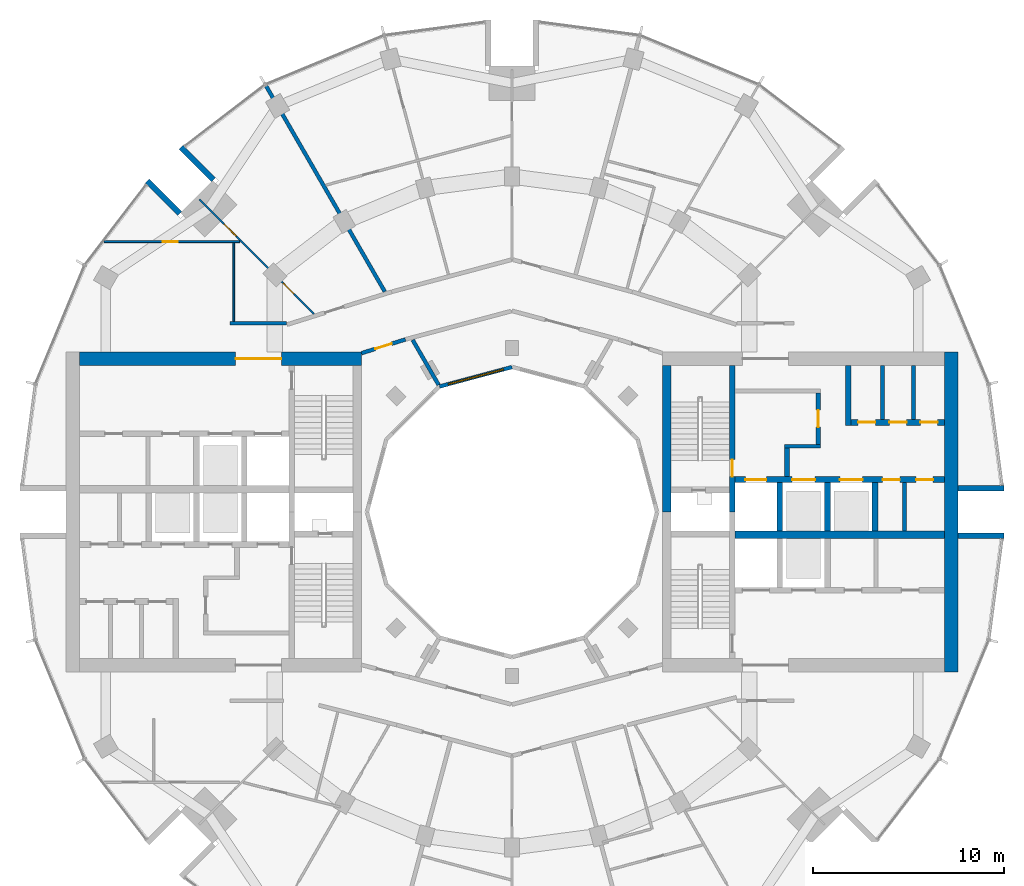
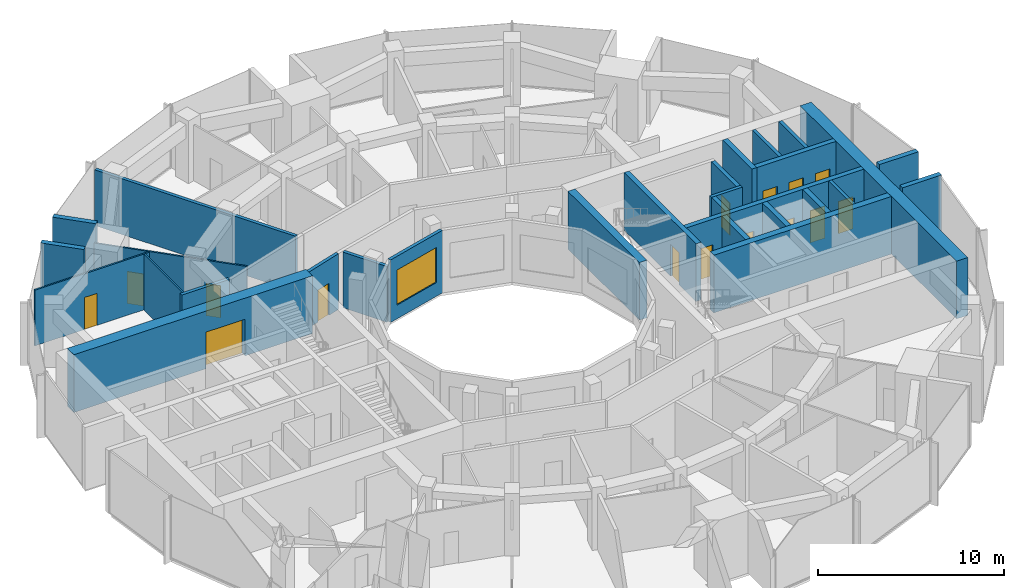
# One storey, part 11 of 15: 29 walls, 15 doors, 1 window, 16 openings.
"""IFC4 building model written with IfcOpenShell, lengths in metres."""

from ifc_helpers import new_model, si_unit, direction, frame, frame_2d, origin, place, context, subcontext, project, spatial, rectangle, extrude, material, layer, layer_set, type_object, element, fill, save


model = new_model("IFC4")

# Units and contexts
model_context = context("Model", 3, precision=1e-05, world=origin(), true_north=direction((0.0, 1.0)))
body_context = subcontext(model_context, "Body", "Model", "MODEL_VIEW")
ifc_project = project(units=[si_unit("LENGTHUNIT", "METRE"), si_unit("AREAUNIT", "SQUARE_METRE"), si_unit("VOLUMEUNIT", "CUBIC_METRE"), si_unit("PLANEANGLEUNIT", "RADIAN"), si_unit("MASSUNIT", "GRAM", prefix="KILO")], contexts=[model_context])

# Site, building, storey
site_placement = place(None, origin())
site = spatial("IfcSite", under=ifc_project, at=site_placement, CompositionType="ELEMENT")
building_placement = place(site_placement, origin())
building = spatial("IfcBuilding", under=site, at=building_placement, Name="Torre Brocal", CompositionType="ELEMENT")
storey_placement = place(building_placement, frame((0.0, 0.0, 174.10009765625)))
storey = spatial("IfcBuildingStorey", under=building, at=storey_placement, Name="L40", CompositionType="ELEMENT", Elevation=174.10009765625)

# Walls
ifc_material_1 = material(Name="Masonry block", Category="masonry")
ifc_layer_1 = layer(ifc_material_1, 0.199951171875)
ifc_layer_set_1 = layer_set([ifc_layer_1], Name="Masonry block")
wall_type_1 = type_object("IfcWallType", Name="CORE PARTITION 200", PredefinedType="PARTITIONING", material=ifc_layer_set_1)
wall_1_placement = place(storey_placement, frame((100.60009765625, 74.0, 0.0), z_axis=(0.0, 0.0, 1.0), x_axis=(0.0, 1.0, 0.0)))
element("IfcWall", 1, at=wall_1_placement, inside=storey, type_object=wall_type_1, Name="Wall CP200", PredefinedType="PARTITIONING", context=body_context, shape_type="SweptSolid", body=[
    extrude(rectangle(XDim=2.550048828125, YDim=0.199951171875, at=frame_2d((1.27490234375, 0.0))), origin(), (0.0, 0.0, 1.0), 3.77978515625),
])
for number, where, z_axis, x_axis, name in (
    (2, (99.433349609375, 79.85009765625, 0.0), (0.0, 0.0, 1.0), (0.0, 1.0, 0.0), "Wall CP200"),
    (3, (101.066650390625, 79.85009765625, 0.0), (0.0, 0.0, 1.0), (0.0, 1.0, 0.0), "Wall CP200"),
):
    element("IfcWall", number, at=place(storey_placement, frame(where, z_axis=z_axis, x_axis=x_axis)), inside=storey, type_object=wall_type_1, Name=name, PredefinedType="PARTITIONING", context=body_context, shape_type="SweptSolid", body=[
        extrude(rectangle(XDim=2.849853515625, YDim=0.199951171875, at=frame_2d((1.4248046875, 0.0))), origin(), (0.0, 0.0, 1.0), 3.77978515625),
    ])
ifc_material_2 = material(Name="Concrete C70", Category="concrete")
ifc_layer_2 = layer(ifc_material_2, 0.199951171875)
ifc_layer_set_2 = layer_set([ifc_layer_2], Name="Concrete C70")
wall_type_2 = type_object("IfcWallType", Name="CORE WALL 200 C70", PredefinedType="SHEAR", material=ifc_layer_set_2)
wall_2_placement = place(storey_placement, frame((94.300048828125, 78.449951171875, 0.0), z_axis=(0.0, 0.0, 1.0), x_axis=(1.0, 0.0, 0.0)))
element("IfcWall", 4, at=wall_2_placement, inside=storey, type_object=wall_type_2, Name="Wall CW200-70", PredefinedType="SHEAR", context=body_context, shape_type="SweptSolid", body=[
    extrude(rectangle(XDim=1.89990234375, YDim=0.199951171875, at=frame_2d((0.949951171875, 0.0))), origin(), (0.0, 0.0, 1.0), 3.77978515625),
])

# Wall, opening, door
ifc_material_3 = material(Name="Concrete C70", Category="concrete")
ifc_layer_3 = layer(ifc_material_3, 0.25)
ifc_layer_set_3 = layer_set([ifc_layer_3], Name="Concrete C70")
wall_type_3 = type_object("IfcWallType", Name="CORE WALL 250 C70", PredefinedType="SHEAR", material=ifc_layer_set_3)
wall_3_placement = place(storey_placement, frame((96.074951171875, 78.550048828125, 0.0), z_axis=(0.0, 0.0, 1.0), x_axis=(0.0, 1.0, 0.0)))
wall_3 = element("IfcWall", 5, at=wall_3_placement, inside=storey, type_object=wall_type_3, Name="Wall CW250-70", PredefinedType="SHEAR", context=body_context, shape_type="SweptSolid", body=[
    extrude(rectangle(XDim=2.699951171875, YDim=0.25, at=frame_2d((1.35009765625, 0.0))), origin(), (0.0, 0.0, 1.0), 3.77978515625),
])
opening_1_placement = place(wall_3_placement, frame((0.89990234375, 0.0, 0.0)))
opening_1 = element("IfcOpeningElement", 6, at=opening_1_placement, cuts=wall_3, Name="Opening E-D08", PredefinedType="OPENING", context=body_context, shape_type="SweptSolid", body=[
    extrude(rectangle(XDim=0.89990234375, YDim=2.10009765625, at=frame_2d((0.449951171875, 1.050048828125))), frame((0.0, 0.135009765625, 0.0), z_axis=(0.0, -1.0, 0.0), x_axis=(1.0, 0.0, 0.0)), (0.0, 0.0, 1.0), 0.27001953125),
])
ifc_material_4 = material(Name="Steel A653", Category="steel")
door_type_1 = type_object("IfcDoorType", Name="LOBBY DOOR FD120 900X2100", OperationType="SINGLE_SWING_RIGHT", PredefinedType="DOOR", material=ifc_material_4)
door_1_placement = place(opening_1_placement, origin())
door_1 = element("IfcDoor", 7, at=door_1_placement, inside=storey, type_object=door_type_1, Name="Door E-D08", OperationType="SINGLE_SWING_LEFT", OverallHeight=2.10009765625, OverallWidth=0.89990234375, PredefinedType="DOOR", context=body_context, shape_type="SweptSolid", body=[
    extrude(rectangle(XDim=0.89990234375, YDim=2.10009765625, at=frame_2d((0.449951171875, 1.050048828125))), frame((0.0, 0.02490234375, 0.0), z_axis=(0.0, -1.0, 0.0), x_axis=(1.0, 0.0, 0.0)), (0.0, 0.0, 1.0), 0.050048828125),
])
fill(opening_1, door_1)

# Wall
wall_4_placement = place(storey_placement, frame((94.425048828125, 76.85009765625, 0.0), z_axis=(0.0, 0.0, 1.0), x_axis=(0.0, 1.0, 0.0)))
element("IfcWall", 8, at=wall_4_placement, inside=storey, type_object=wall_type_3, Name="Wall CW250-70", PredefinedType="SHEAR", context=body_context, shape_type="SweptSolid", body=[
    extrude(rectangle(XDim=1.5, YDim=0.25, at=frame_2d((0.75, 0.0))), origin(), (0.0, 0.0, 1.0), 3.77978515625),
])

# Wall, opening, door
ifc_material_5 = material(Name="Concrete C70", Category="concrete")
ifc_layer_4 = layer(ifc_material_5, 0.300048828125)
ifc_layer_set_4 = layer_set([ifc_layer_4], Name="Concrete C70")
wall_type_4 = type_object("IfcWallType", Name="CORE WALL 300 C70", PredefinedType="SHEAR", material=ifc_layer_set_4)
wall_5_placement = place(storey_placement, frame((91.550048828125, 75.0, 0.0), z_axis=(0.0, 0.0, 1.0), x_axis=(0.0, 1.0, 0.0)))
wall_5 = element("IfcWall", 9, at=wall_5_placement, inside=storey, type_object=wall_type_4, Name="Wall CW300-70", PredefinedType="SHEAR", context=body_context, shape_type="SweptSolid", body=[
    extrude(rectangle(XDim=7.699951171875, YDim=0.300048828125, at=frame_2d((3.85009765625, 0.0))), origin(), (0.0, 0.0, 1.0), 3.77978515625),
])
opening_2_placement = place(wall_5_placement, frame((1.85009765625, 0.0, 0.0)))
opening_2 = element("IfcOpeningElement", 10, at=opening_2_placement, cuts=wall_5, Name="Opening E-D02", PredefinedType="OPENING", context=body_context, shape_type="SweptSolid", body=[
    extrude(rectangle(XDim=0.89990234375, YDim=2.10009765625, at=frame_2d((0.449951171875, 1.050048828125))), frame((0.0, 0.159912109375, 0.0), z_axis=(0.0, -1.0, 0.0), x_axis=(1.0, 0.0, 0.0)), (0.0, 0.0, 1.0), 0.320068359375),
])
ifc_material_6 = material(Name="Steel A653", Category="steel")
door_type_2 = type_object("IfcDoorType", Name="STAIR DOOR FD120 900X2100", OperationType="SINGLE_SWING_RIGHT", PredefinedType="DOOR", material=ifc_material_6)
door_2_placement = place(opening_2_placement, origin())
door_2 = element("IfcDoor", 11, at=door_2_placement, inside=storey, type_object=door_type_2, Name="Door E-D02", OperationType="SINGLE_SWING_LEFT", OverallHeight=2.10009765625, OverallWidth=0.89990234375, PredefinedType="DOOR", context=body_context, shape_type="SweptSolid", body=[
    extrude(rectangle(XDim=0.89990234375, YDim=2.10009765625, at=frame_2d((0.449951171875, 1.050048828125))), frame((0.0, 0.02490234375, 0.0), z_axis=(0.0, -1.0, 0.0), x_axis=(1.0, 0.0, 0.0)), (0.0, 0.0, 1.0), 0.050048828125),
])
fill(opening_2, door_2)

# Wall, openings, doors
wall_6_placement = place(storey_placement, frame((91.699951171875, 76.699951171875, 0.0), z_axis=(0.0, 0.0, 1.0), x_axis=(1.0, 0.0, 0.0)))
wall_6 = element("IfcWall", 12, at=wall_6_placement, inside=storey, type_object=wall_type_4, Name="Wall CW300-70", PredefinedType="SHEAR", context=body_context, shape_type="SweptSolid", body=[
    extrude(rectangle(XDim=11.0, YDim=0.300048828125, at=frame_2d((5.5, 0.0))), origin(), (0.0, 0.0, 1.0), 3.77978515625),
])
opening_3_placement = place(wall_6_placement, frame((0.550048828125, 0.0, 0.0)))
opening_3 = element("IfcOpeningElement", 13, at=opening_3_placement, cuts=wall_6, Name="Opening LD", PredefinedType="OPENING", context=body_context, shape_type="SweptSolid", body=[
    extrude(rectangle(XDim=1.10009765625, YDim=2.10009765625, at=frame_2d((0.550048828125, 1.050048828125))), frame((0.0, 0.159912109375, 0.0), z_axis=(0.0, -1.0, 0.0), x_axis=(1.0, 0.0, 0.0)), (0.0, 0.0, 1.0), 0.320068359375),
])
opening_4_placement = place(wall_6_placement, frame((3.0, 0.0, 0.0)))
opening_4 = element("IfcOpeningElement", 14, at=opening_4_placement, cuts=wall_6, Name="Opening LD12", PredefinedType="OPENING", context=body_context, shape_type="SweptSolid", body=[
    extrude(rectangle(XDim=1.199951171875, YDim=2.10009765625, at=frame_2d((0.60009765625, 1.050048828125))), frame((0.0, 0.159912109375, 0.0), z_axis=(0.0, -1.0, 0.0), x_axis=(1.0, 0.0, 0.0)), (0.0, 0.0, 1.0), 0.320068359375),
])
opening_5_placement = place(wall_6_placement, frame((5.5, 0.0, 0.0)))
opening_5 = element("IfcOpeningElement", 15, at=opening_5_placement, cuts=wall_6, Name="Opening LD12", PredefinedType="OPENING", context=body_context, shape_type="SweptSolid", body=[
    extrude(rectangle(XDim=1.199951171875, YDim=2.10009765625, at=frame_2d((0.60009765625, 1.050048828125))), frame((0.0, 0.159912109375, 0.0), z_axis=(0.0, -1.0, 0.0), x_axis=(1.0, 0.0, 0.0)), (0.0, 0.0, 1.0), 0.320068359375),
])
opening_6_placement = place(wall_6_placement, frame((7.75, 0.0, 0.0)))
opening_6 = element("IfcOpeningElement", 16, at=opening_6_placement, cuts=wall_6, Name="Opening E-D04", PredefinedType="OPENING", context=body_context, shape_type="SweptSolid", body=[
    extrude(rectangle(XDim=0.89990234375, YDim=2.10009765625, at=frame_2d((0.449951171875, 1.050048828125))), frame((0.0, 0.159912109375, 0.0), z_axis=(0.0, -1.0, 0.0), x_axis=(1.0, 0.0, 0.0)), (0.0, 0.0, 1.0), 0.320068359375),
])
opening_7_placement = place(wall_6_placement, frame((9.5, 0.0, 0.0)))
opening_7 = element("IfcOpeningElement", 17, at=opening_7_placement, cuts=wall_6, Name="Opening E-D05", PredefinedType="OPENING", context=body_context, shape_type="SweptSolid", body=[
    extrude(rectangle(XDim=0.89990234375, YDim=2.10009765625, at=frame_2d((0.449951171875, 1.050048828125))), frame((0.0, 0.159912109375, 0.0), z_axis=(0.0, -1.0, 0.0), x_axis=(1.0, 0.0, 0.0)), (0.0, 0.0, 1.0), 0.320068359375),
])
ifc_material_7 = material(Name="Stainless steel AISI 316", Category="steel")
door_type_3 = type_object("IfcDoorType", Name="LIFT LANDING DOOR 1100X2100", OperationType="DOUBLE_DOOR_SLIDING", PredefinedType="DOOR", material=ifc_material_7)
door_3_placement = place(opening_3_placement, origin())
door_3 = element("IfcDoor", 18, at=door_3_placement, inside=storey, type_object=door_type_3, Name="Door LD", OperationType="DOUBLE_DOOR_SLIDING", OverallHeight=2.10009765625, OverallWidth=1.10009765625, PredefinedType="DOOR", context=body_context, shape_type="SweptSolid", body=[
    extrude(rectangle(XDim=1.10009765625, YDim=2.10009765625, at=frame_2d((0.550048828125, 1.050048828125))), frame((0.0, 0.02490234375, 0.0), z_axis=(0.0, -1.0, 0.0), x_axis=(1.0, 0.0, 0.0)), (0.0, 0.0, 1.0), 0.050048828125),
])
fill(opening_3, door_3)
ifc_material_8 = material(Name="Stainless steel AISI 316", Category="steel")
door_type_4 = type_object("IfcDoorType", Name="LIFT LANDING DOOR 1200X2100", OperationType="DOUBLE_DOOR_SLIDING", PredefinedType="DOOR", material=ifc_material_8)
door_4_placement = place(opening_4_placement, origin())
door_4 = element("IfcDoor", 19, at=door_4_placement, inside=storey, type_object=door_type_4, Name="Door LD12", OperationType="DOUBLE_DOOR_SLIDING", OverallHeight=2.10009765625, OverallWidth=1.199951171875, PredefinedType="DOOR", context=body_context, shape_type="SweptSolid", body=[
    extrude(rectangle(XDim=1.199951171875, YDim=2.10009765625, at=frame_2d((0.60009765625, 1.050048828125))), frame((0.0, 0.02490234375, 0.0), z_axis=(0.0, -1.0, 0.0), x_axis=(1.0, 0.0, 0.0)), (0.0, 0.0, 1.0), 0.050048828125),
])
fill(opening_4, door_4)
door_5_placement = place(opening_5_placement, origin())
door_5 = element("IfcDoor", 20, at=door_5_placement, inside=storey, type_object=door_type_4, Name="Door LD12", OperationType="DOUBLE_DOOR_SLIDING", OverallHeight=2.10009765625, OverallWidth=1.199951171875, PredefinedType="DOOR", context=body_context, shape_type="SweptSolid", body=[
    extrude(rectangle(XDim=1.199951171875, YDim=2.10009765625, at=frame_2d((0.60009765625, 1.050048828125))), frame((0.0, 0.02490234375, 0.0), z_axis=(0.0, -1.0, 0.0), x_axis=(1.0, 0.0, 0.0)), (0.0, 0.0, 1.0), 0.050048828125),
])
fill(opening_5, door_5)
ifc_material_9 = material(Name="Steel A653", Category="steel")
door_type_5 = type_object("IfcDoorType", Name="ROOM DOOR FD30S 900X2100", OperationType="SINGLE_SWING_LEFT", PredefinedType="DOOR", material=ifc_material_9)
door_6_placement = place(opening_6_placement, frame((0.89990234375, 0.0, 0.0), z_axis=(0.0, 0.0, 1.0), x_axis=(-1.0, 0.0, 0.0)))
door_6 = element("IfcDoor", 21, at=door_6_placement, inside=storey, type_object=door_type_5, Name="Door E-D04", OperationType="SINGLE_SWING_LEFT", OverallHeight=2.10009765625, OverallWidth=0.89990234375, PredefinedType="DOOR", context=body_context, shape_type="SweptSolid", body=[
    extrude(rectangle(XDim=0.89990234375, YDim=2.10009765625, at=frame_2d((0.449951171875, 1.050048828125))), frame((0.0, 0.02490234375, 0.0), z_axis=(0.0, -1.0, 0.0), x_axis=(1.0, 0.0, 0.0)), (0.0, 0.0, 1.0), 0.050048828125),
])
fill(opening_6, door_6)
door_7_placement = place(opening_7_placement, frame((0.89990234375, 0.0, 0.0), z_axis=(0.0, 0.0, 1.0), x_axis=(-1.0, 0.0, 0.0)))
door_7 = element("IfcDoor", 22, at=door_7_placement, inside=storey, type_object=door_type_5, Name="Door E-D05", OperationType="SINGLE_SWING_RIGHT", OverallHeight=2.10009765625, OverallWidth=0.89990234375, PredefinedType="DOOR", context=body_context, shape_type="SweptSolid", body=[
    extrude(rectangle(XDim=0.89990234375, YDim=2.10009765625, at=frame_2d((0.449951171875, 1.050048828125))), frame((0.0, 0.02490234375, 0.0), z_axis=(0.0, -1.0, 0.0), x_axis=(1.0, 0.0, 0.0)), (0.0, 0.0, 1.0), 0.050048828125),
])
fill(opening_7, door_7)

# Walls
for number, where, z_axis, x_axis, name in (
    (23, (94.050048828125, 74.0, 0.0), (0.0, 0.0, 1.0), (0.0, 1.0, 0.0), "Wall CW300-70"),
    (24, (96.550048828125, 74.0, 0.0), (0.0, 0.0, 1.0), (0.0, 1.0, 0.0), "Wall CW300-70"),
    (25, (99.050048828125, 74.0, 0.0), (0.0, 0.0, 1.0), (0.0, 1.0, 0.0), "Wall CW300-70"),
):
    element("IfcWall", number, at=place(storey_placement, frame(where, z_axis=z_axis, x_axis=x_axis)), inside=storey, type_object=wall_type_4, Name=name, PredefinedType="SHEAR", context=body_context, shape_type="SweptSolid", body=[
        extrude(rectangle(XDim=2.550048828125, YDim=0.300048828125, at=frame_2d((1.27490234375, 0.0))), origin(), (0.0, 0.0, 1.0), 3.77978515625),
    ])
wall_7_placement = place(storey_placement, frame((97.64990234375, 79.550048828125, 0.0), z_axis=(0.0, 0.0, 1.0), x_axis=(0.0, 1.0, 0.0)))
element("IfcWall", 26, at=wall_7_placement, inside=storey, type_object=wall_type_4, Name="Wall CW300-70", PredefinedType="SHEAR", context=body_context, shape_type="SweptSolid", body=[
    extrude(rectangle(XDim=3.14990234375, YDim=0.300048828125, at=frame_2d((1.574951171875, 0.0))), origin(), (0.0, 0.0, 1.0), 3.77978515625),
])

# Wall, openings, doors
wall_8_placement = place(storey_placement, frame((97.800048828125, 79.699951171875, 0.0), z_axis=(0.0, 0.0, 1.0), x_axis=(1.0, 0.0, 0.0)))
wall_8 = element("IfcWall", 27, at=wall_8_placement, inside=storey, type_object=wall_type_4, Name="Wall CW300-70", PredefinedType="SHEAR", context=body_context, shape_type="SweptSolid", body=[
    extrude(rectangle(XDim=4.89990234375, YDim=0.300048828125, at=frame_2d((2.449951171875, 0.0))), origin(), (0.0, 0.0, 1.0), 3.77978515625),
])
opening_8_placement = place(wall_8_placement, frame((0.36669921875, 0.0, 0.0)))
opening_8 = element("IfcOpeningElement", 28, at=opening_8_placement, cuts=wall_8, Name="Opening E-D09", PredefinedType="OPENING", context=body_context, shape_type="SweptSolid", body=[
    extrude(rectangle(XDim=0.89990234375, YDim=2.10009765625, at=frame_2d((0.449951171875, 1.050048828125))), frame((0.0, 0.159912109375, 0.0), z_axis=(0.0, -1.0, 0.0), x_axis=(1.0, 0.0, 0.0)), (0.0, 0.0, 1.0), 0.320068359375),
])
opening_9_placement = place(wall_8_placement, frame((2.0, 0.0, 0.0)))
opening_9 = element("IfcOpeningElement", 29, at=opening_9_placement, cuts=wall_8, Name="Opening E-D10", PredefinedType="OPENING", context=body_context, shape_type="SweptSolid", body=[
    extrude(rectangle(XDim=0.89990234375, YDim=2.10009765625, at=frame_2d((0.449951171875, 1.050048828125))), frame((0.0, 0.159912109375, 0.0), z_axis=(0.0, -1.0, 0.0), x_axis=(1.0, 0.0, 0.0)), (0.0, 0.0, 1.0), 0.320068359375),
])
opening_10_placement = place(wall_8_placement, frame((3.63330078125, 0.0, 0.0)))
opening_10 = element("IfcOpeningElement", 30, at=opening_10_placement, cuts=wall_8, Name="Opening E-D11", PredefinedType="OPENING", context=body_context, shape_type="SweptSolid", body=[
    extrude(rectangle(XDim=0.89990234375, YDim=2.10009765625, at=frame_2d((0.449951171875, 1.050048828125))), frame((0.0, 0.159912109375, 0.0), z_axis=(0.0, -1.0, 0.0), x_axis=(1.0, 0.0, 0.0)), (0.0, 0.0, 1.0), 0.320068359375),
])
door_8_placement = place(opening_8_placement, origin())
door_8 = element("IfcDoor", 31, at=door_8_placement, inside=storey, type_object=door_type_5, Name="Door E-D09", OperationType="SINGLE_SWING_RIGHT", OverallHeight=2.10009765625, OverallWidth=0.89990234375, PredefinedType="DOOR", context=body_context, shape_type="SweptSolid", body=[
    extrude(rectangle(XDim=0.89990234375, YDim=2.10009765625, at=frame_2d((0.449951171875, 1.050048828125))), frame((0.0, 0.02490234375, 0.0), z_axis=(0.0, -1.0, 0.0), x_axis=(1.0, 0.0, 0.0)), (0.0, 0.0, 1.0), 0.050048828125),
])
fill(opening_8, door_8)
door_9_placement = place(opening_9_placement, origin())
door_9 = element("IfcDoor", 32, at=door_9_placement, inside=storey, type_object=door_type_5, Name="Door E-D10", OperationType="SINGLE_SWING_LEFT", OverallHeight=2.10009765625, OverallWidth=0.89990234375, PredefinedType="DOOR", context=body_context, shape_type="SweptSolid", body=[
    extrude(rectangle(XDim=0.89990234375, YDim=2.10009765625, at=frame_2d((0.449951171875, 1.050048828125))), frame((0.0, 0.02490234375, 0.0), z_axis=(0.0, -1.0, 0.0), x_axis=(1.0, 0.0, 0.0)), (0.0, 0.0, 1.0), 0.050048828125),
])
fill(opening_9, door_9)
door_10_placement = place(opening_10_placement, origin())
door_10 = element("IfcDoor", 33, at=door_10_placement, inside=storey, type_object=door_type_5, Name="Door E-D11", OperationType="SINGLE_SWING_LEFT", OverallHeight=2.10009765625, OverallWidth=0.89990234375, PredefinedType="DOOR", context=body_context, shape_type="SweptSolid", body=[
    extrude(rectangle(XDim=0.89990234375, YDim=2.10009765625, at=frame_2d((0.449951171875, 1.050048828125))), frame((0.0, 0.02490234375, 0.0), z_axis=(0.0, -1.0, 0.0), x_axis=(1.0, 0.0, 0.0)), (0.0, 0.0, 1.0), 0.050048828125),
])
fill(opening_10, door_10)

# Walls
ifc_material_10 = material(Name="Concrete C70", Category="concrete")
ifc_layer_5 = layer(ifc_material_10, 0.39990234375)
ifc_layer_set_5 = layer_set([ifc_layer_5], Name="Concrete C70")
wall_type_5 = type_object("IfcWallType", Name="CORE WALL 400 C70", PredefinedType="SHEAR", material=ifc_layer_set_5)
wall_9_placement = place(storey_placement, frame((91.699951171875, 73.800048828125, 0.0), z_axis=(0.0, 0.0, 1.0), x_axis=(1.0, 0.0, 0.0)))
element("IfcWall", 34, at=wall_9_placement, inside=storey, type_object=wall_type_5, Name="Wall CW400-70", PredefinedType="SHEAR", context=body_context, shape_type="SweptSolid", body=[
    extrude(rectangle(XDim=11.0, YDim=0.39990234375, at=frame_2d((5.5, 0.0))), origin(), (0.0, 0.0, 1.0), 3.77978515625),
])
ifc_material_11 = material(Name="Concrete C70", Category="concrete")
ifc_layer_6 = layer(ifc_material_11, 0.449951171875)
ifc_layer_set_6 = layer_set([ifc_layer_6], Name="Concrete C70")
wall_type_6 = type_object("IfcWallType", Name="CORE WALL 450 C70", PredefinedType="SHEAR", material=ifc_layer_set_6)
wall_10_placement = place(storey_placement, frame((88.125, 75.0, 0.0), z_axis=(0.0, 0.0, 1.0), x_axis=(0.0, 1.0, 0.0)))
element("IfcWall", 35, at=wall_10_placement, inside=storey, type_object=wall_type_6, Name="Wall CW450-70", PredefinedType="SHEAR", context=body_context, shape_type="SweptSolid", body=[
    extrude(rectangle(XDim=7.699951171875, YDim=0.449951171875, at=frame_2d((3.85009765625, 0.0))), origin(), (0.0, 0.0, 1.0), 3.77978515625),
])
ifc_material_12 = material(Name="Concrete C70", Category="concrete")
ifc_layer_7 = layer(ifc_material_12, 0.699951171875)
ifc_layer_set_7 = layer_set([ifc_layer_7], Name="Concrete C70")
wall_type_7 = type_object("IfcWallType", Name="CORE WALL 700 C70", PredefinedType="SHEAR", material=ifc_layer_set_7)
wall_11_placement = place(storey_placement, frame((103.050048828125, 66.60009765625, 0.0), z_axis=(0.0, 0.0, 1.0), x_axis=(0.0, 1.0, 0.0)))
element("IfcWall", 36, at=wall_11_placement, inside=storey, type_object=wall_type_7, Name="Wall CW700-70", PredefinedType="SHEAR", context=body_context, shape_type="SweptSolid", body=[
    extrude(rectangle(XDim=16.7998046875, YDim=0.699951171875, at=frame_2d((8.39990234375, 0.0))), origin(), (0.0, 0.0, 1.0), 3.77978515625),
])

# Wall, opening, door
wall_12_placement = place(storey_placement, frame((72.10009765625, 83.050048828125, 0.0), z_axis=(0.0, 0.0, 1.0), x_axis=(-1.0, 0.0, 0.0)))
wall_12 = element("IfcWall", 37, at=wall_12_placement, inside=storey, type_object=wall_type_7, Name="Wall CW700-70", PredefinedType="SHEAR", context=body_context, shape_type="SweptSolid", body=[
    extrude(rectangle(XDim=14.800048828125, YDim=0.699951171875, at=frame_2d((7.39990234375, 0.0))), origin(), (0.0, 0.0, 1.0), 3.77978515625),
])
opening_11_placement = place(wall_12_placement, frame((4.199951171875, 0.0, 0.0)))
opening_11 = element("IfcOpeningElement", 38, at=opening_11_placement, cuts=wall_12, Name="Opening W-D13", PredefinedType="OPENING", context=body_context, shape_type="SweptSolid", body=[
    extrude(rectangle(XDim=2.39990234375, YDim=2.39990234375, at=frame_2d((1.199951171875, 1.199951171875))), frame((0.0, 0.35986328125, 0.0), z_axis=(0.0, -1.0, 0.0), x_axis=(1.0, 0.0, 0.0)), (0.0, 0.0, 1.0), 0.719970703125),
])
ifc_material_13 = material(Name="Steel A653", Category="steel")
door_type_6 = type_object("IfcDoorType", Name="DOUBLE FIRE DOOR FD90 2400X2400", OperationType="DOUBLE_DOOR_SINGLE_SWING", PredefinedType="DOOR", material=ifc_material_13)
door_11_placement = place(opening_11_placement, origin())
door_11 = element("IfcDoor", 39, at=door_11_placement, inside=storey, type_object=door_type_6, Name="Door W-D13", OperationType="DOUBLE_DOOR_SINGLE_SWING", OverallHeight=2.39990234375, OverallWidth=2.39990234375, PredefinedType="DOOR", context=body_context, shape_type="SweptSolid", body=[
    extrude(rectangle(XDim=2.39990234375, YDim=2.39990234375, at=frame_2d((1.199951171875, 1.199951171875))), frame((0.0, 0.02490234375, 0.0), z_axis=(0.0, -1.0, 0.0), x_axis=(1.0, 0.0, 0.0)), (0.0, 0.0, 1.0), 0.050048828125),
])
fill(opening_11, door_11)

# Walls
ifc_material_14 = material(Name="Concrete C70", Category="concrete")
ifc_layer_8 = layer(ifc_material_14, 0.300048828125)
ifc_layer_set_8 = layer_set([ifc_layer_8], Name="Concrete C70")
wall_type_8 = type_object("IfcWallType", Name="NOTCH RETURN WALL 300 C70", PredefinedType="NOTDEFINED", material=ifc_layer_set_8)
for number, where, z_axis, x_axis, name in (
    (40, (103.39990234375, 73.75, 0.0), (0.0, 0.0, 1.0), (1.0, 0.0, 0.0), "NOTCH RETURN WALL"),
    (41, (103.39990234375, 76.25, 0.0), (0.0, 0.0, 1.0), (1.0, 0.0, 0.0), "NOTCH RETURN WALL"),
    (42, (64.337646484375, 92.43017578125, 0.0), (0.0, 0.0, 1.0), (-0.707106781187, 0.707106781187, 0.0), "NOTCH RETURN WALL"),
    (43, (62.56982421875, 90.662353515625, 0.0), (0.0, 0.0, 1.0), (-0.707106781187, 0.707106781187, 0.0), "NOTCH RETURN WALL"),
):
    element("IfcWall", number, at=place(storey_placement, frame(where, z_axis=z_axis, x_axis=x_axis)), inside=storey, type_object=wall_type_8, Name=name, PredefinedType="NOTDEFINED", context=body_context, shape_type="SweptSolid", body=[
        extrude(rectangle(XDim=2.415771484375, YDim=0.300048828125, at=frame_2d((1.2080078125, 0.0))), origin(), (0.0, 0.0, 1.0), 4.099853515625),
    ])

# Wall, opening, door
ifc_material_15 = material(Name="Gypsum board", Category="Gypsum")
ifc_layer_9 = layer(ifc_material_15, 0.10009765625)
ifc_layer_set_9 = layer_set([ifc_layer_9], Name="Gypsum board")
wall_type_9 = type_object("IfcWallType", Name="PARTITION 100", PredefinedType="PARTITIONING", material=ifc_layer_set_9)
wall_13_placement = place(storey_placement, frame((58.60009765625, 89.18798828125, 0.0), z_axis=(0.0, 0.0, 1.0), x_axis=(1.0, 0.0, 0.0)))
wall_13 = element("IfcWall", 44, at=wall_13_placement, inside=storey, type_object=wall_type_9, Name="BATHROOM WALL", PredefinedType="PARTITIONING", context=body_context, shape_type="SweptSolid", body=[
    extrude(rectangle(XDim=7.1025390625, YDim=0.10009765625, at=frame_2d((3.55126953125, 0.0))), origin(), (0.0, 0.0, 1.0), 3.64990234375),
])
opening_12_placement = place(wall_13_placement, frame((3.06494140625, 0.0, 0.0)))
opening_12 = element("IfcOpeningElement", 45, at=opening_12_placement, cuts=wall_13, Name="Opening R02-D14", PredefinedType="OPENING", context=body_context, shape_type="SweptSolid", body=[
    extrude(rectangle(XDim=0.800048828125, YDim=2.10009765625, at=frame_2d((0.39990234375, 1.050048828125))), frame((0.0, 0.06005859375, 0.0), z_axis=(0.0, -1.0, 0.0), x_axis=(1.0, 0.0, 0.0)), (0.0, 0.0, 1.0), 0.1201171875),
])
ifc_material_16 = material(Name="Timber", Category="wood")
door_type_7 = type_object("IfcDoorType", Name="BATHROOM DOOR 800X2100", OperationType="SINGLE_SWING_LEFT", PredefinedType="DOOR", material=ifc_material_16)
door_12_placement = place(opening_12_placement, frame((0.800048828125, 0.0, 0.0), z_axis=(0.0, 0.0, 1.0), x_axis=(-1.0, 0.0, 0.0)))
door_12 = element("IfcDoor", 46, at=door_12_placement, inside=storey, type_object=door_type_7, Name="R02-D14", OperationType="SINGLE_SWING_LEFT", OverallHeight=2.10009765625, OverallWidth=0.800048828125, PredefinedType="DOOR", context=body_context, shape_type="SweptSolid", body=[
    extrude(rectangle(XDim=0.800048828125, YDim=2.10009765625, at=frame_2d((0.39990234375, 1.050048828125))), frame((0.0, 0.02490234375, 0.0), z_axis=(0.0, -1.0, 0.0), x_axis=(1.0, 0.0, 0.0)), (0.0, 0.0, 1.0), 0.050048828125),
])
fill(opening_12, door_12)

# Wall, openings, doors
wall_14_placement = place(storey_placement, frame((63.59765625, 91.4072265625, 0.0), z_axis=(0.0, 0.0, 1.0), x_axis=(0.70700623685, -0.707207311228, 0.0)))
wall_14 = element("IfcWall", 47, at=wall_14_placement, inside=storey, type_object=wall_type_9, Name="BATHROOM WALL", PredefinedType="PARTITIONING", context=body_context, shape_type="SweptSolid", body=[
    extrude(rectangle(XDim=8.499267578125, YDim=0.10009765625, at=frame_2d((4.24951171875, 0.0))), origin(), (0.0, 0.0, 1.0), 3.64990234375),
])
opening_13_placement = place(wall_14_placement, frame((1.830322265625, 0.0, 0.0)))
opening_13 = element("IfcOpeningElement", 48, at=opening_13_placement, cuts=wall_14, Name="Opening R02-D13", PredefinedType="OPENING", context=body_context, shape_type="SweptSolid", body=[
    extrude(rectangle(XDim=0.89990234375, YDim=2.10009765625, at=frame_2d((0.449951171875, 1.050048828125))), frame((0.0, 0.06005859375, 0.0), z_axis=(0.0, -1.0, 0.0), x_axis=(1.0, 0.0, 0.0)), (0.0, 0.0, 1.0), 0.1201171875),
])
opening_14_placement = place(wall_14_placement, frame((6.218505859375, 0.0, 0.0)))
opening_14 = element("IfcOpeningElement", 49, at=opening_14_placement, cuts=wall_14, Name="Opening R02-D15", PredefinedType="OPENING", context=body_context, shape_type="SweptSolid", body=[
    extrude(rectangle(XDim=0.800048828125, YDim=2.10009765625, at=frame_2d((0.39990234375, 1.050048828125))), frame((0.0, 0.06005859375, 0.0), z_axis=(0.0, -1.0, 0.0), x_axis=(1.0, 0.0, 0.0)), (0.0, 0.0, 1.0), 0.1201171875),
])
door_13_placement = place(opening_14_placement, frame((0.800048828125, 0.0, 0.0), z_axis=(0.0, 0.0, 1.0), x_axis=(-1.0, 0.0, 0.0)))
door_13 = element("IfcDoor", 50, at=door_13_placement, inside=storey, type_object=door_type_7, Name="R02-D15", OperationType="SINGLE_SWING_LEFT", OverallHeight=2.10009765625, OverallWidth=0.800048828125, PredefinedType="DOOR", context=body_context, shape_type="SweptSolid", body=[
    extrude(rectangle(XDim=0.800048828125, YDim=2.10009765625, at=frame_2d((0.39990234375, 1.050048828125))), frame((0.0, 0.02490234375, 0.0), z_axis=(0.0, -1.0, 0.0), x_axis=(1.0, 0.0, 0.0)), (0.0, 0.0, 1.0), 0.050048828125),
])
fill(opening_14, door_13)
ifc_material_17 = material(Name="Timber", Category="wood")
door_type_8 = type_object("IfcDoorType", Name="ROOM DOOR 900X2100", OperationType="SINGLE_SWING_LEFT", PredefinedType="DOOR", material=ifc_material_17)
door_14_placement = place(opening_13_placement, frame((0.89990234375, 0.0, 0.0), z_axis=(0.0, 0.0, 1.0), x_axis=(-1.0, 0.0, 0.0)))
door_14 = element("IfcDoor", 51, at=door_14_placement, inside=storey, type_object=door_type_8, Name="R02-D13", OperationType="SINGLE_SWING_RIGHT", OverallHeight=2.10009765625, OverallWidth=0.89990234375, PredefinedType="DOOR", context=body_context, shape_type="SweptSolid", body=[
    extrude(rectangle(XDim=0.89990234375, YDim=2.10009765625, at=frame_2d((0.449951171875, 1.050048828125))), frame((0.0, 0.02490234375, 0.0), z_axis=(0.0, -1.0, 0.0), x_axis=(1.0, 0.0, 0.0)), (0.0, 0.0, 1.0), 0.050048828125),
])
fill(opening_13, door_14)

# Walls
wall_15_placement = place(storey_placement, frame((65.39990234375, 85.0, 0.0), z_axis=(0.0, 0.0, 1.0), x_axis=(0.0, 1.0, 0.0)))
element("IfcWall", 52, at=wall_15_placement, inside=storey, type_object=wall_type_9, Name="BATHROOM WALL", PredefinedType="PARTITIONING", context=body_context, shape_type="SweptSolid", body=[
    extrude(rectangle(XDim=4.137939453125, YDim=0.10009765625, at=frame_2d((2.06884765625, 0.0))), origin(), (0.0, 0.0, 1.0), 3.64990234375),
])
ifc_material_18 = material(Name="Gypsum board", Category="Gypsum")
ifc_layer_10 = layer(ifc_material_18, 0.199951171875)
ifc_layer_set_10 = layer_set([ifc_layer_10], Name="Gypsum board")
wall_type_10 = type_object("IfcWallType", Name="PARTITION 200 EI60", PredefinedType="PARTITIONING", material=ifc_layer_set_10)
wall_16_placement = place(storey_placement, frame((65.199951171875, 84.89990234375, 0.0), z_axis=(0.0, 0.0, 1.0), x_axis=(1.0, 0.0, 0.0)))
element("IfcWall", 53, at=wall_16_placement, inside=storey, type_object=wall_type_10, Name="CORRIDOR WALL", PredefinedType="PARTITIONING", context=body_context, shape_type="SweptSolid", body=[
    extrude(rectangle(XDim=2.969970703125, YDim=0.199951171875, at=frame_2d((1.48486328125, 0.0))), origin(), (0.0, 0.0, 1.0), 3.64990234375),
])
wall_17_placement = place(storey_placement, frame((67.10400390625, 97.343017578125, 0.0), z_axis=(0.0, 0.0, 1.0), x_axis=(0.499841888023, -0.866116670534, 0.0)))
element("IfcWall", 54, at=wall_17_placement, inside=storey, type_object=wall_type_10, Name="BATHROOM WALL", PredefinedType="PARTITIONING", context=body_context, shape_type="SweptSolid", body=[
    extrude(rectangle(XDim=12.44580078125, YDim=0.199951171875, at=frame_2d((6.222900390625, 0.0))), origin(), (0.0, 0.0, 1.0), 3.64990234375),
])

# Wall, opening, door
wall_18_placement = place(storey_placement, frame((72.10009765625, 83.33203125, 0.0), z_axis=(0.0, 0.0, 1.0), x_axis=(0.954233106619, 0.299063836383, 0.0)))
wall_18 = element("IfcWall", 55, at=wall_18_placement, inside=storey, type_object=wall_type_10, Name="CORRIDOR WALL", PredefinedType="PARTITIONING", context=body_context, shape_type="SweptSolid", body=[
    extrude(rectangle(XDim=2.4140625, YDim=0.199951171875, at=frame_2d((1.20703125, 0.0))), origin(), (0.0, 0.0, 1.0), 3.64990234375),
])
opening_15_placement = place(wall_18_placement, frame((0.761962890625, 0.0, 0.0)))
opening_15 = element("IfcOpeningElement", 56, at=opening_15_placement, cuts=wall_18, Name="Opening R02-D18", PredefinedType="OPENING", context=body_context, shape_type="SweptSolid", body=[
    extrude(rectangle(XDim=0.89990234375, YDim=2.10009765625, at=frame_2d((0.449951171875, 1.050048828125))), frame((0.0, 0.10986328125, 0.0), z_axis=(0.0, -1.0, 0.0), x_axis=(1.0, 0.0, 0.0)), (0.0, 0.0, 1.0), 0.219970703125),
])
door_15_placement = place(opening_15_placement, frame((0.89990234375, 0.0, 0.0), z_axis=(0.0, 0.0, 1.0), x_axis=(-1.0, 0.0, 0.0)))
door_15 = element("IfcDoor", 57, at=door_15_placement, inside=storey, type_object=door_type_8, Name="R02-D18", OperationType="SINGLE_SWING_RIGHT", OverallHeight=2.10009765625, OverallWidth=0.89990234375, PredefinedType="DOOR", context=body_context, shape_type="SweptSolid", body=[
    extrude(rectangle(XDim=0.89990234375, YDim=2.10009765625, at=frame_2d((0.449951171875, 1.050048828125))), frame((0.0, 0.02490234375, 0.0), z_axis=(0.0, -1.0, 0.0), x_axis=(1.0, 0.0, 0.0)), (0.0, 0.0, 1.0), 0.050048828125),
])
fill(opening_15, door_15)

# Wall
wall_19_placement = place(storey_placement, frame((74.788330078125, 84.027587890625, 0.0), z_axis=(0.0, 0.0, 1.0), x_axis=(0.499859501914, -0.866106505198, 0.0)))
element("IfcWall", 58, at=wall_19_placement, inside=storey, type_object=wall_type_10, Name="SERVICE ROOM WALL", PredefinedType="PARTITIONING", context=body_context, shape_type="SweptSolid", body=[
    extrude(rectangle(XDim=2.724365234375, YDim=0.199951171875, at=frame_2d((1.3623046875, 0.0))), origin(), (0.0, 0.0, 1.0), 3.64990234375),
])

# Wall, opening, window
ifc_material_19 = material(Name="Concrete C40", Category="concrete")
ifc_layer_11 = layer(ifc_material_19, 0.199951171875)
ifc_layer_set_11 = layer_set([ifc_layer_11], Name="Concrete C40")
wall_type_11 = type_object("IfcWallType", Name="WELL FACADE WALL 200", PredefinedType="NOTDEFINED", material=ifc_layer_set_11)
wall_20_placement = place(storey_placement, frame((80.0, 82.603515625, 0.0), z_axis=(0.0, 0.0, 1.0), x_axis=(-0.965933654434, -0.258789828301, 0.0)))
wall_20 = element("IfcWall", 59, at=wall_20_placement, inside=storey, type_object=wall_type_11, Name="WELL FACADE WALL", PredefinedType="NOTDEFINED", context=body_context, shape_type="SweptSolid", body=[
    extrude(rectangle(XDim=3.935791015625, YDim=0.199951171875, at=frame_2d((1.9677734375, 0.0))), origin(), (0.0, 0.0, 1.0), 4.099853515625),
])
opening_16_placement = place(wall_20_placement, frame((0.468017578125, 0.0, 0.89990234375)))
opening_16 = element("IfcOpeningElement", 60, at=opening_16_placement, cuts=wall_20, Name="Opening W1", PredefinedType="OPENING", context=body_context, shape_type="SweptSolid", body=[
    extrude(rectangle(XDim=3.0, YDim=2.300048828125, at=frame_2d((1.5, 1.14990234375))), frame((0.0, 0.10986328125, 0.0), z_axis=(0.0, -1.0, 0.0), x_axis=(1.0, 0.0, 0.0)), (0.0, 0.0, 1.0), 0.219970703125),
])
ifc_material_20 = material(Name="Aluminium and glass", Category="aluminium")
window_type = type_object("IfcWindowType", Name="WELL WINDOW 3000X2300", PartitioningType="SINGLE_PANEL", PredefinedType="WINDOW", material=ifc_material_20)
window_placement = place(opening_16_placement, origin())
window = element("IfcWindow", 61, at=window_placement, inside=storey, type_object=window_type, Name="WELL WINDOW 3000X2300", OverallHeight=2.300048828125, OverallWidth=3.0, PartitioningType="SINGLE_PANEL", PredefinedType="WINDOW", context=body_context, shape_type="SweptSolid", body=[
    extrude(rectangle(XDim=3.0, YDim=2.300048828125, at=frame_2d((1.5, 1.14990234375))), frame((0.0, 0.030029296875, 0.0), z_axis=(0.0, -1.0, 0.0), x_axis=(1.0, 0.0, 0.0)), (0.0, 0.0, 1.0), 0.06005859375),
])
fill(opening_16, window)

save(model, "model.ifc")
